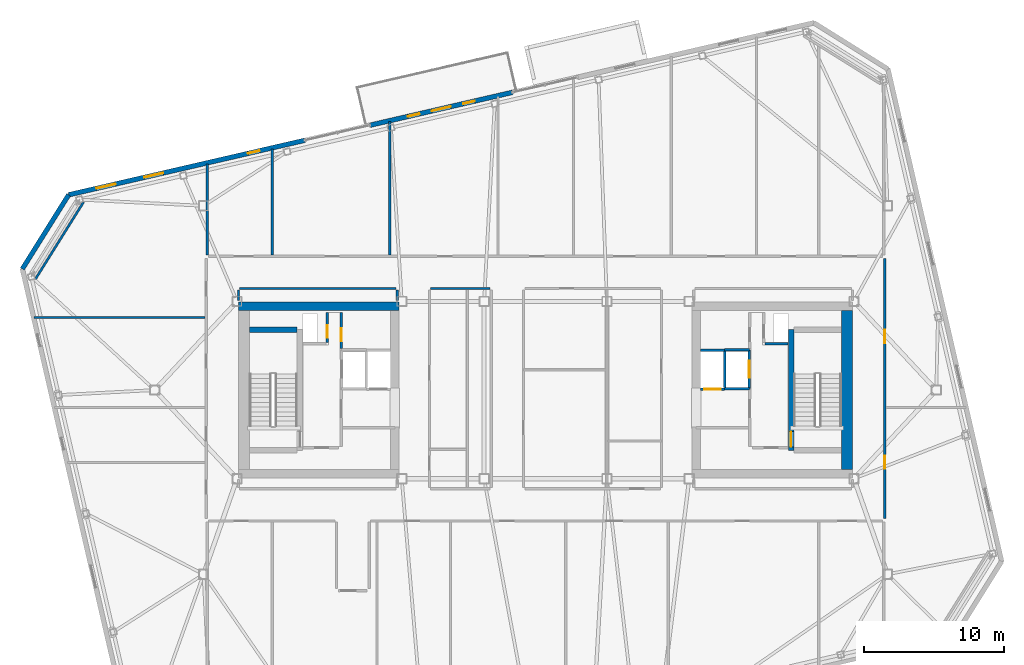
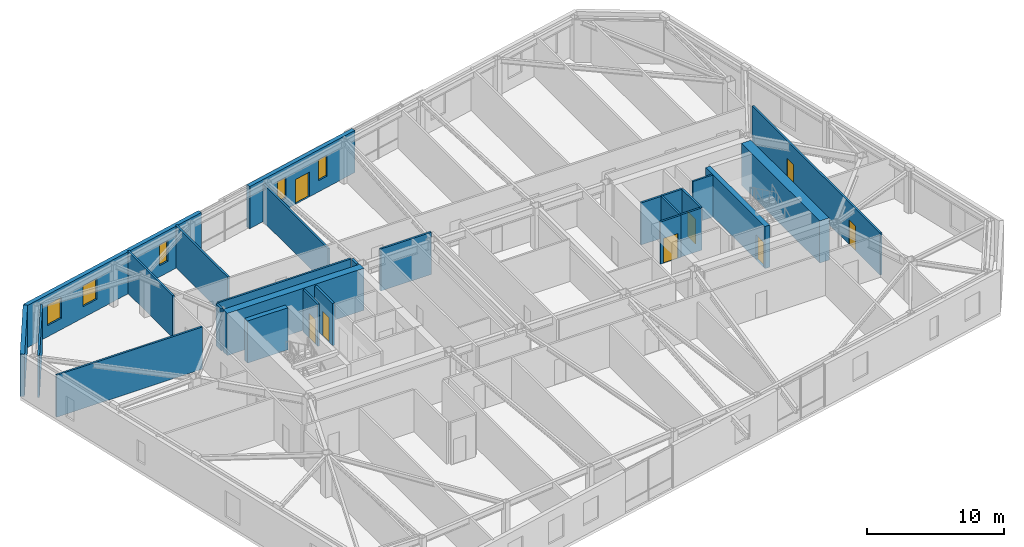
# One storey, part 18 of 24: 26 walls, 8 doors, 5 windows, 13 openings.
"""IFC4 building model written with IfcOpenShell, lengths in metres."""

from ifc_helpers import new_model, si_unit, direction, frame, frame_2d, origin, place, context, subcontext, project, spatial, rectangle, extrude, material, layer, layer_set, type_object, element, fill, save


model = new_model("IFC4")

# Units and contexts
model_context = context("Model", 3, precision=1e-05, world=origin(), true_north=direction((0.0, 1.0)))
body_context = subcontext(model_context, "Body", "Model", "MODEL_VIEW")
ifc_project = project(units=[si_unit("LENGTHUNIT", "METRE"), si_unit("AREAUNIT", "SQUARE_METRE"), si_unit("VOLUMEUNIT", "CUBIC_METRE"), si_unit("PLANEANGLEUNIT", "RADIAN"), si_unit("MASSUNIT", "GRAM", prefix="KILO")], contexts=[model_context])

# Site, building, storey
site_placement = place(None, origin())
site = spatial("IfcSite", under=ifc_project, at=site_placement, CompositionType="ELEMENT")
building_placement = place(site_placement, origin())
building = spatial("IfcBuilding", under=site, at=building_placement, Name="Tavrogorsk Clinical Tower", CompositionType="ELEMENT")
storey_placement = place(building_placement, frame((0.0, 0.0, 321.0)))
storey = spatial("IfcBuildingStorey", under=building, at=storey_placement, Name="L75", CompositionType="ELEMENT", Elevation=321.0)

# Wall, opening, door
ifc_material_1 = material(Name="Concrete B60", Category="concrete")
ifc_layer_1 = layer(ifc_material_1, 0.199951171875)
ifc_layer_set_1 = layer_set([ifc_layer_1], Name="Concrete B60")
wall_type_1 = type_object("IfcWallType", Name="CoreFireWall_200", PredefinedType="SOLIDWALL", material=ifc_layer_set_1)
wall_1_placement = place(storey_placement, frame((-14.639892578125, 2.9599609375, 0.0), z_axis=(0.0, 0.0, 1.0), x_axis=(0.0, 1.0, 0.0)))
wall_1 = element("IfcWall", 1, at=wall_1_placement, inside=storey, type_object=wall_type_1, Name="L75 Core West North Core Room East Wall", PredefinedType="SOLIDWALL", context=body_context, shape_type="SweptSolid", body=[
    extrude(rectangle(XDim=2.60009765625, YDim=0.199951171875, at=frame_2d((1.300048828125, 0.0))), origin(), (0.0, 0.0, 1.0), 3.739990234375),
])
opening_1_placement = place(wall_1_placement, frame((0.52001953125, 0.0, 0.0)))
opening_1 = element("IfcOpeningElement", 2, at=opening_1_placement, cuts=wall_1, Name="Opening ID-02", PredefinedType="OPENING", context=body_context, shape_type="SweptSolid", body=[
    extrude(rectangle(XDim=0.949951171875, YDim=2.199951171875, at=frame_2d((0.47509765625, 1.10009765625))), frame((0.0, 0.10986328125, 0.0), z_axis=(0.0, -1.0, 0.0), x_axis=(1.0, 0.0, 0.0)), (0.0, 0.0, 1.0), 0.219970703125),
])
ifc_material_2 = material(Name="Laminated timber leaf on aluminium frame", Category="wood")
door_type_1 = type_object("IfcDoorType", Name="InteriorDoor_ID02_950", OperationType="NOTDEFINED", PredefinedType="DOOR", material=ifc_material_2)
door_1_placement = place(opening_1_placement, origin())
door_1 = element("IfcDoor", 3, at=door_1_placement, inside=storey, type_object=door_type_1, Name="L75 Core West Core Telemetry Room Door", OperationType="SINGLE_SWING_LEFT", OverallHeight=2.199951171875, OverallWidth=0.949951171875, PredefinedType="DOOR", context=body_context, shape_type="SweptSolid", body=[
    extrude(rectangle(XDim=0.949951171875, YDim=2.199951171875, at=frame_2d((0.47509765625, 1.10009765625))), frame((0.0, 0.02490234375, 0.0), z_axis=(0.0, -1.0, 0.0), x_axis=(1.0, 0.0, 0.0)), (0.0, 0.0, 1.0), 0.050048828125),
])
fill(opening_1, door_1)

# Wall
ifc_material_3 = material(Name="Lightweight concrete blockwork B15", Category="masonry")
ifc_layer_2 = layer(ifc_material_3, 0.159912109375)
ifc_layer_set_2 = layer_set([ifc_layer_2], Name="Lightweight concrete blockwork B15")
wall_type_2 = type_object("IfcWallType", Name="PartitionWall_160", PredefinedType="PARTITIONING", material=ifc_layer_set_2)
wall_2_placement = place(storey_placement, frame((-33.10009765625, 13.464599609375, 0.0), z_axis=(0.0, 0.0, 1.0), x_axis=(-0.529958457806, -0.848023604035, 0.0)))
element("IfcWall", 4, at=wall_2_placement, inside=storey, type_object=wall_type_2, Name="L75 Corner Exoskeleton Brace Furring Wall 3", PredefinedType="PARTITIONING", context=body_context, shape_type="SweptSolid", body=[
    extrude(rectangle(XDim=6.505126953125, YDim=0.159912109375, at=frame_2d((3.25244140625, 0.0))), origin(), (0.0, 0.0, 1.0), 3.739990234375),
])

# Wall, openings, doors
wall_3_placement = place(storey_placement, frame((24.31005859375, 9.4150390625, 0.0), z_axis=(0.0, 0.0, 1.0), x_axis=(0.0, -1.0, 0.0)))
wall_3 = element("IfcWall", 5, at=wall_3_placement, inside=storey, type_object=wall_type_2, Name="L75 Corridor Partition 03", PredefinedType="PARTITIONING", context=body_context, shape_type="SweptSolid", body=[
    extrude(rectangle(XDim=18.630126953125, YDim=0.159912109375, at=frame_2d((9.31494140625, 0.0))), origin(), (0.0, 0.0, 1.0), 3.739990234375),
])
opening_2_placement = place(wall_3_placement, frame((14.10595703125, 0.0, 0.0)))
opening_2 = element("IfcOpeningElement", 6, at=opening_2_placement, cuts=wall_3, Name="Opening ID-02", PredefinedType="OPENING", context=body_context, shape_type="SweptSolid", body=[
    extrude(rectangle(XDim=0.949951171875, YDim=2.199951171875, at=frame_2d((0.47509765625, 1.10009765625))), frame((0.0, 0.08984375, 0.0), z_axis=(0.0, -1.0, 0.0), x_axis=(1.0, 0.0, 0.0)), (0.0, 0.0, 1.0), 0.179931640625),
])
opening_3_placement = place(wall_3_placement, frame((5.093994140625, 0.0, 0.0)))
opening_3 = element("IfcOpeningElement", 7, at=opening_3_placement, cuts=wall_3, Name="Opening ID-02", PredefinedType="OPENING", context=body_context, shape_type="SweptSolid", body=[
    extrude(rectangle(XDim=0.949951171875, YDim=2.199951171875, at=frame_2d((0.47509765625, 1.10009765625))), frame((0.0, 0.08984375, 0.0), z_axis=(0.0, -1.0, 0.0), x_axis=(1.0, 0.0, 0.0)), (0.0, 0.0, 1.0), 0.179931640625),
])
door_2_placement = place(opening_2_placement, origin())
door_2 = element("IfcDoor", 8, at=door_2_placement, inside=storey, type_object=door_type_1, Name="L75 E Senior Clinician Suite 1 Door", OperationType="SINGLE_SWING_RIGHT", OverallHeight=2.199951171875, OverallWidth=0.949951171875, PredefinedType="DOOR", context=body_context, shape_type="SweptSolid", body=[
    extrude(rectangle(XDim=0.949951171875, YDim=2.199951171875, at=frame_2d((0.47509765625, 1.10009765625))), frame((0.0, 0.02490234375, 0.0), z_axis=(0.0, -1.0, 0.0), x_axis=(1.0, 0.0, 0.0)), (0.0, 0.0, 1.0), 0.050048828125),
])
fill(opening_2, door_2)
door_3_placement = place(opening_3_placement, origin())
door_3 = element("IfcDoor", 9, at=door_3_placement, inside=storey, type_object=door_type_1, Name="L75 E Multidisciplinary Seminar Suite 2 Door", OperationType="SINGLE_SWING_LEFT", OverallHeight=2.199951171875, OverallWidth=0.949951171875, PredefinedType="DOOR", context=body_context, shape_type="SweptSolid", body=[
    extrude(rectangle(XDim=0.949951171875, YDim=2.199951171875, at=frame_2d((0.47509765625, 1.10009765625))), frame((0.0, 0.02490234375, 0.0), z_axis=(0.0, -1.0, 0.0), x_axis=(1.0, 0.0, 0.0)), (0.0, 0.0, 1.0), 0.050048828125),
])
fill(opening_3, door_3)

# Walls
wall_4_placement = place(storey_placement, frame((-3.965087890625, 7.27001953125, 0.0), z_axis=(0.0, 0.0, 1.0), x_axis=(-1.0, 0.0, 0.0)))
element("IfcWall", 10, at=wall_4_placement, inside=storey, type_object=wall_type_2, Name="L75 Corridor Partition 20", PredefinedType="PARTITIONING", context=body_context, shape_type="SweptSolid", body=[
    extrude(rectangle(XDim=4.27001953125, YDim=0.159912109375, at=frame_2d((2.135009765625, 0.0))), origin(), (0.0, 0.0, 1.0), 3.739990234375),
])
wall_5_placement = place(storey_placement, frame((-10.6298828125, 6.419921875, 0.0), z_axis=(0.0, 0.0, 1.0), x_axis=(0.0, 1.0, 0.0)))
element("IfcWall", 11, at=wall_5_placement, inside=storey, type_object=wall_type_2, Name="L75 Corridor Partition 24", PredefinedType="PARTITIONING", context=body_context, shape_type="SweptSolid", body=[
    extrude(rectangle(XDim=0.76513671875, YDim=0.159912109375, at=frame_2d((0.382568359375, 0.0))), origin(), (0.0, 0.0, 1.0), 3.739990234375),
])
wall_6_placement = place(storey_placement, frame((-10.715087890625, 7.27001953125, 0.0), z_axis=(0.0, 0.0, 1.0), x_axis=(-1.0, 0.0, 0.0)))
element("IfcWall", 12, at=wall_6_placement, inside=storey, type_object=wall_type_2, Name="L75 Corridor Partition 25", PredefinedType="PARTITIONING", context=body_context, shape_type="SweptSolid", body=[
    extrude(rectangle(XDim=11.199951171875, YDim=0.159912109375, at=frame_2d((5.60009765625, 0.0))), origin(), (0.0, 0.0, 1.0), 3.739990234375),
])
wall_7_placement = place(storey_placement, frame((-22.0, 7.18505859375, 0.0), z_axis=(0.0, 0.0, 1.0), x_axis=(0.0, -1.0, 0.0)))
element("IfcWall", 13, at=wall_7_placement, inside=storey, type_object=wall_type_2, Name="L75 Corridor Partition 26", PredefinedType="PARTITIONING", context=body_context, shape_type="SweptSolid", body=[
    extrude(rectangle(XDim=0.76513671875, YDim=0.159912109375, at=frame_2d((0.382568359375, 0.0))), origin(), (0.0, 0.0, 1.0), 3.739990234375),
])
wall_8_placement = place(storey_placement, frame((-24.22998046875, 9.6650390625, 0.0), z_axis=(0.0, 0.0, 1.0), x_axis=(0.0, 1.0, 0.0)))
element("IfcWall", 14, at=wall_8_placement, inside=storey, type_object=wall_type_2, Name="L75 NW Wing Closure Partition", PredefinedType="PARTITIONING", context=body_context, shape_type="SweptSolid", body=[
    extrude(rectangle(XDim=6.5458984375, YDim=0.159912109375, at=frame_2d((3.27294921875, 0.0))), origin(), (0.0, 0.0, 1.0), 3.739990234375),
])
wall_9_placement = place(storey_placement, frame((-19.580078125, 9.6650390625, 0.0), z_axis=(0.0, 0.0, 1.0), x_axis=(0.0, 1.0, 0.0)))
element("IfcWall", 15, at=wall_9_placement, inside=storey, type_object=wall_type_2, Name="L75 North Room Partition 1", PredefinedType="PARTITIONING", context=body_context, shape_type="SweptSolid", body=[
    extrude(rectangle(XDim=7.619384765625, YDim=0.159912109375, at=frame_2d((3.8095703125, 0.0))), origin(), (0.0, 0.0, 1.0), 3.739990234375),
])
wall_10_placement = place(storey_placement, frame((-11.159912109375, 9.6650390625, 0.0), z_axis=(0.0, 0.0, 1.0), x_axis=(0.0, 1.0, 0.0)))
element("IfcWall", 16, at=wall_10_placement, inside=storey, type_object=wall_type_2, Name="L75 North Room Partition 2", PredefinedType="PARTITIONING", context=body_context, shape_type="SweptSolid", body=[
    extrude(rectangle(XDim=9.5634765625, YDim=0.159912109375, at=frame_2d((4.78173828125, 0.0))), origin(), (0.0, 0.0, 1.0), 3.3349609375),
])
wall_11_placement = place(storey_placement, frame((-36.662841796875, 5.199951171875, 0.0), z_axis=(0.0, 0.0, 1.0), x_axis=(1.0, 0.0, 0.0)))
element("IfcWall", 17, at=wall_11_placement, inside=storey, type_object=wall_type_2, Name="L75 W Wing Divider 3", PredefinedType="PARTITIONING", context=body_context, shape_type="SweptSolid", body=[
    extrude(rectangle(XDim=12.267822265625, YDim=0.159912109375, at=frame_2d((6.1337890625, 0.0))), origin(), (0.0, 0.0, 1.0), 3.739990234375),
])

# Wall, openings, windows, door
ifc_material_4 = material(Name="Precast concrete B45 with limestone cladding", Category="masonry")
ifc_layer_3 = layer(ifc_material_4, 0.340087890625)
ifc_layer_set_3 = layer_set([ifc_layer_3], Name="Precast concrete B45 with limestone cladding")
wall_type_3 = type_object("IfcWallType", Name="PrecastLimestoneWall_340", PredefinedType="STANDARD", material=ifc_layer_set_3)
wall_12_placement = place(storey_placement, frame((-2.3681640625, 21.330078125, 0.0), z_axis=(0.0, 0.0, 1.0), x_axis=(-0.974367213107, -0.224963405961, 0.0)))
wall_12 = element("IfcWall", 18, at=wall_12_placement, inside=storey, type_object=wall_type_3, Name="L75 N Limestone Facade Wall 2", PredefinedType="STANDARD", context=body_context, shape_type="SweptSolid", body=[
    extrude(rectangle(XDim=10.46826171875, YDim=0.340087890625, at=frame_2d((5.234130859375, 0.0))), origin(), (0.0, 0.0, 1.0), 3.739990234375),
])
opening_4_placement = place(wall_12_placement, frame((4.5341796875, 0.0, 0.0)))
opening_4 = element("IfcOpeningElement", 19, at=opening_4_placement, cuts=wall_12, Name="Opening ED-03", PredefinedType="OPENING", context=body_context, shape_type="SweptSolid", body=[
    extrude(rectangle(XDim=1.39990234375, YDim=2.199951171875, at=frame_2d((0.699951171875, 1.10009765625))), frame((0.0, 0.179931640625, 0.0), z_axis=(0.0, -1.0, 0.0), x_axis=(1.0, 0.0, 0.0)), (0.0, 0.0, 1.0), 0.360107421875),
])
opening_5_placement = place(wall_12_placement, frame((6.840087890625, 0.0, 1.0)))
opening_5 = element("IfcOpeningElement", 20, at=opening_5_placement, cuts=wall_12, Name="Opening WN-06", PredefinedType="OPENING", context=body_context, shape_type="SweptSolid", body=[
    extrude(rectangle(XDim=0.85009765625, YDim=1.85009765625, at=frame_2d((0.425048828125, 0.925048828125))), frame((0.0, 0.179931640625, 0.0), z_axis=(0.0, -1.0, 0.0), x_axis=(1.0, 0.0, 0.0)), (0.0, 0.0, 1.0), 0.360107421875),
])
opening_6_placement = place(wall_12_placement, frame((2.7783203125, 0.0, 1.0)))
opening_6 = element("IfcOpeningElement", 21, at=opening_6_placement, cuts=wall_12, Name="Opening WN-06", PredefinedType="OPENING", context=body_context, shape_type="SweptSolid", body=[
    extrude(rectangle(XDim=0.85009765625, YDim=1.85009765625, at=frame_2d((0.425048828125, 0.925048828125))), frame((0.0, 0.179931640625, 0.0), z_axis=(0.0, -1.0, 0.0), x_axis=(1.0, 0.0, 0.0)), (0.0, 0.0, 1.0), 0.360107421875),
])
ifc_material_5 = material(Name="Thermally broken aluminium frame and triple IGU", Category="aluminium")
window_type_1 = type_object("IfcWindowType", Name="MullionSubWin_850x1850", PartitioningType="SINGLE_PANEL", PredefinedType="WINDOW", material=ifc_material_5)
window_1_placement = place(opening_5_placement, origin())
window_1 = element("IfcWindow", 22, at=window_1_placement, inside=storey, type_object=window_type_1, Name="L75 N Mullion Split Window 05B", OverallHeight=1.85009765625, OverallWidth=0.85009765625, PartitioningType="SINGLE_PANEL", PredefinedType="WINDOW", context=body_context, shape_type="SweptSolid", body=[
    extrude(rectangle(XDim=0.85009765625, YDim=1.85009765625, at=frame_2d((0.425048828125, 0.925048828125))), frame((0.0, 0.030029296875, 0.0), z_axis=(0.0, -1.0, 0.0), x_axis=(1.0, 0.0, 0.0)), (0.0, 0.0, 1.0), 0.06005859375),
])
fill(opening_5, window_1)
window_2_placement = place(opening_6_placement, origin())
window_2 = element("IfcWindow", 23, at=window_2_placement, inside=storey, type_object=window_type_1, Name="L75 N Mullion Split Window 06A", OverallHeight=1.85009765625, OverallWidth=0.85009765625, PartitioningType="SINGLE_PANEL", PredefinedType="WINDOW", context=body_context, shape_type="SweptSolid", body=[
    extrude(rectangle(XDim=0.85009765625, YDim=1.85009765625, at=frame_2d((0.425048828125, 0.925048828125))), frame((0.0, 0.030029296875, 0.0), z_axis=(0.0, -1.0, 0.0), x_axis=(1.0, 0.0, 0.0)), (0.0, 0.0, 1.0), 0.06005859375),
])
fill(opening_6, window_2)
ifc_material_6 = material(Name="Thermally broken aluminium and laminated safety glass", Category="aluminium")
door_type_2 = type_object("IfcDoorType", Name="TerraceGlassDoor_ED03_1400", OperationType="DOUBLE_SWING_LEFT", PredefinedType="DOOR", material=ifc_material_6)
door_4_placement = place(opening_4_placement, origin())
door_4 = element("IfcDoor", 24, at=door_4_placement, inside=storey, type_object=door_type_2, Name="L75 Spiralling Recuperation Terrace Door ED-03", OperationType="DOUBLE_SWING_LEFT", OverallHeight=2.199951171875, OverallWidth=1.39990234375, PredefinedType="DOOR", context=body_context, shape_type="SweptSolid", body=[
    extrude(rectangle(XDim=1.39990234375, YDim=2.199951171875, at=frame_2d((0.699951171875, 1.10009765625))), frame((0.0, 0.02490234375, 0.0), z_axis=(0.0, -1.0, 0.0), x_axis=(1.0, 0.0, 0.0)), (0.0, 0.0, 1.0), 0.050048828125),
])
fill(opening_4, door_4)

# Wall, openings, windows
wall_13_placement = place(storey_placement, frame((-17.2451171875, 17.895263671875, 0.0), z_axis=(0.0, 0.0, 1.0), x_axis=(-0.97437318493, -0.224937539085, 0.0)))
wall_13 = element("IfcWall", 25, at=wall_13_placement, inside=storey, type_object=wall_type_3, Name="L75 N Limestone Facade Wall 3", PredefinedType="STANDARD", context=body_context, shape_type="SweptSolid", body=[
    extrude(rectangle(XDim=17.365966796875, YDim=0.340087890625, at=frame_2d((8.68310546875, 0.0))), origin(), (0.0, 0.0, 1.0), 3.739990234375),
])
opening_7_placement = place(wall_13_placement, frame((13.924560546875, 0.0, 1.0)))
opening_7 = element("IfcOpeningElement", 26, at=opening_7_placement, cuts=wall_13, Name="Opening WN-17", PredefinedType="OPENING", context=body_context, shape_type="SweptSolid", body=[
    extrude(rectangle(XDim=1.39990234375, YDim=1.85009765625, at=frame_2d((0.699951171875, 0.925048828125))), frame((0.0, 0.179931640625, 0.0), z_axis=(0.0, -1.0, 0.0), x_axis=(1.0, 0.0, 0.0)), (0.0, 0.0, 1.0), 0.360107421875),
])
opening_8_placement = place(wall_13_placement, frame((10.412841796875, 0.0, 1.0)))
opening_8 = element("IfcOpeningElement", 27, at=opening_8_placement, cuts=wall_13, Name="Opening WN-17", PredefinedType="OPENING", context=body_context, shape_type="SweptSolid", body=[
    extrude(rectangle(XDim=1.39990234375, YDim=1.85009765625, at=frame_2d((0.699951171875, 0.925048828125))), frame((0.0, 0.179931640625, 0.0), z_axis=(0.0, -1.0, 0.0), x_axis=(1.0, 0.0, 0.0)), (0.0, 0.0, 1.0), 0.360107421875),
])
opening_9_placement = place(wall_13_placement, frame((3.32861328125, 0.0, 1.0)))
opening_9 = element("IfcOpeningElement", 28, at=opening_9_placement, cuts=wall_13, Name="Opening WN-06", PredefinedType="OPENING", context=body_context, shape_type="SweptSolid", body=[
    extrude(rectangle(XDim=0.85009765625, YDim=1.85009765625, at=frame_2d((0.425048828125, 0.925048828125))), frame((0.0, 0.179931640625, 0.0), z_axis=(0.0, -1.0, 0.0), x_axis=(1.0, 0.0, 0.0)), (0.0, 0.0, 1.0), 0.360107421875),
])
window_3_placement = place(opening_9_placement, origin())
window_3 = element("IfcWindow", 29, at=window_3_placement, inside=storey, type_object=window_type_1, Name="L75 N Mullion Split Window 04B", OverallHeight=1.85009765625, OverallWidth=0.85009765625, PartitioningType="SINGLE_PANEL", PredefinedType="WINDOW", context=body_context, shape_type="SweptSolid", body=[
    extrude(rectangle(XDim=0.85009765625, YDim=1.85009765625, at=frame_2d((0.425048828125, 0.925048828125))), frame((0.0, 0.030029296875, 0.0), z_axis=(0.0, -1.0, 0.0), x_axis=(1.0, 0.0, 0.0)), (0.0, 0.0, 1.0), 0.06005859375),
])
fill(opening_9, window_3)
ifc_material_7 = material(Name="Thermally broken aluminium frame and triple IGU", Category="aluminium")
window_type_2 = type_object("IfcWindowType", Name="TelemetryWin_1400x1850", PartitioningType="SINGLE_PANEL", PredefinedType="WINDOW", material=ifc_material_7)
window_4_placement = place(opening_7_placement, origin())
window_4 = element("IfcWindow", 30, at=window_4_placement, inside=storey, type_object=window_type_2, Name="L75 N Chicago Window 01", OverallHeight=1.85009765625, OverallWidth=1.39990234375, PartitioningType="SINGLE_PANEL", PredefinedType="WINDOW", context=body_context, shape_type="SweptSolid", body=[
    extrude(rectangle(XDim=1.39990234375, YDim=1.85009765625, at=frame_2d((0.699951171875, 0.925048828125))), frame((0.0, 0.030029296875, 0.0), z_axis=(0.0, -1.0, 0.0), x_axis=(1.0, 0.0, 0.0)), (0.0, 0.0, 1.0), 0.06005859375),
])
fill(opening_7, window_4)
window_5_placement = place(opening_8_placement, origin())
window_5 = element("IfcWindow", 31, at=window_5_placement, inside=storey, type_object=window_type_2, Name="L75 N Chicago Window 02", OverallHeight=1.85009765625, OverallWidth=1.39990234375, PartitioningType="SINGLE_PANEL", PredefinedType="WINDOW", context=body_context, shape_type="SweptSolid", body=[
    extrude(rectangle(XDim=1.39990234375, YDim=1.85009765625, at=frame_2d((0.699951171875, 0.925048828125))), frame((0.0, 0.030029296875, 0.0), z_axis=(0.0, -1.0, 0.0), x_axis=(1.0, 0.0, 0.0)), (0.0, 0.0, 1.0), 0.06005859375),
])
fill(opening_8, window_5)

# Wall
wall_14_placement = place(storey_placement, frame((-34.165771484375, 13.989013671875, 0.0), z_axis=(0.0, 0.0, 1.0), x_axis=(-0.529935887993, -0.848037708252, 0.0)))
element("IfcWall", 32, at=wall_14_placement, inside=storey, type_object=wall_type_3, Name="L75 Chamfered Corner Wall 3", PredefinedType="STANDARD", context=body_context, shape_type="SweptSolid", body=[
    extrude(rectangle(XDim=6.26513671875, YDim=0.340087890625, at=frame_2d((3.132568359375, 0.0))), origin(), (0.0, 0.0, 1.0), 3.739990234375),
])

# Wall, opening, door
ifc_material_8 = material(Name="Lightweight concrete blockwork B25", Category="masonry")
ifc_layer_4 = layer(ifc_material_8, 0.159912109375)
ifc_layer_set_4 = layer_set([ifc_layer_4], Name="Lightweight concrete blockwork B25")
wall_type_4 = type_object("IfcWallType", Name="ShaftWall_160", PredefinedType="PARTITIONING", material=ifc_layer_set_4)
wall_15_placement = place(storey_placement, frame((14.60009765625, 0.1201171875, 0.0), z_axis=(0.0, 0.0, 1.0), x_axis=(0.0, 1.0, 0.0)))
wall_15 = element("IfcWall", 33, at=wall_15_placement, inside=storey, type_object=wall_type_4, Name="L75 FFL-E Firefighting Lift Front Wall", PredefinedType="PARTITIONING", context=body_context, shape_type="SweptSolid", body=[
    extrude(rectangle(XDim=2.739990234375, YDim=0.159912109375, at=frame_2d((1.3701171875, 0.0))), origin(), (0.0, 0.0, 1.0), 3.739990234375),
])
opening_10_placement = place(wall_15_placement, frame((0.77001953125, 0.0, 0.0)))
opening_10 = element("IfcOpeningElement", 34, at=opening_10_placement, cuts=wall_15, Name="Opening LD", PredefinedType="OPENING", context=body_context, shape_type="SweptSolid", body=[
    extrude(rectangle(XDim=1.199951171875, YDim=2.199951171875, at=frame_2d((0.60009765625, 1.10009765625))), frame((0.0, 0.08984375, 0.0), z_axis=(0.0, -1.0, 0.0), x_axis=(1.0, 0.0, 0.0)), (0.0, 0.0, 1.0), 0.179931640625),
])
ifc_material_9 = material(Name="Brushed stainless steel AISI 304 sliding doors", Category="steel")
door_type_3 = type_object("IfcDoorType", Name="LiftLandingDoor_LD_1200", OperationType="SLIDING_TO_LEFT", PredefinedType="DOOR", material=ifc_material_9)
door_5_placement = place(opening_10_placement, origin())
door_5 = element("IfcDoor", 35, at=door_5_placement, inside=storey, type_object=door_type_3, Name="L75 FFL-E Sliding Lift Landing Door", OperationType="SLIDING_TO_LEFT", OverallHeight=2.199951171875, OverallWidth=1.199951171875, PredefinedType="DOOR", context=body_context, shape_type="SweptSolid", body=[
    extrude(rectangle(XDim=1.199951171875, YDim=2.199951171875, at=frame_2d((0.60009765625, 1.10009765625))), frame((0.0, 0.02490234375, 0.0), z_axis=(0.0, -1.0, 0.0), x_axis=(1.0, 0.0, 0.0)), (0.0, 0.0, 1.0), 0.050048828125),
])
fill(opening_10, door_5)

# Walls
for number, where, z_axis, x_axis, name in (
    (36, (12.840087890625, 0.10009765625, 0.0), (0.0, 0.0, 1.0), (1.0, 0.0, 0.0), "L75 FFL-E Shaft South Wall"),
    (37, (12.840087890625, 2.8798828125, 0.0), (0.0, 0.0, 1.0), (1.0, 0.0, 0.0), "L75 FFL-E Shaft North Wall"),
):
    element("IfcWall", number, at=place(storey_placement, frame(where, z_axis=z_axis, x_axis=x_axis)), inside=storey, type_object=wall_type_4, Name=name, PredefinedType="PARTITIONING", context=body_context, shape_type="SweptSolid", body=[
        extrude(rectangle(XDim=1.760009765625, YDim=0.159912109375, at=frame_2d((0.8798828125, 0.0))), origin(), (0.0, 0.0, 1.0), 3.739990234375),
    ])
wall_16_placement = place(storey_placement, frame((12.840087890625, 0.179931640625, 0.0), z_axis=(0.0, 0.0, 1.0), x_axis=(0.0, 1.0, 0.0)))
element("IfcWall", 38, at=wall_16_placement, inside=storey, type_object=wall_type_4, Name="L75 FFL-E Shaft Back Wall", PredefinedType="PARTITIONING", context=body_context, shape_type="SweptSolid", body=[
    extrude(rectangle(XDim=2.6201171875, YDim=0.159912109375, at=frame_2d((1.31005859375, 0.0))), origin(), (0.0, 0.0, 1.0), 3.739990234375),
])

# Wall, opening, door
wall_17_placement = place(storey_placement, frame((11.10009765625, 0.06005859375, 0.0), z_axis=(0.0, 0.0, 1.0), x_axis=(1.0, 0.0, 0.0)))
wall_17 = element("IfcWall", 39, at=wall_17_placement, inside=storey, type_object=wall_type_4, Name="L75 LP-H2 High-Zone Lift Portal Wall", PredefinedType="PARTITIONING", context=body_context, shape_type="SweptSolid", body=[
    extrude(rectangle(XDim=1.719970703125, YDim=0.159912109375, at=frame_2d((0.85986328125, 0.0))), origin(), (0.0, 0.0, 1.0), 3.739990234375),
])
opening_11_placement = place(wall_17_placement, frame((0.260009765625, 0.0, 0.0)))
opening_11 = element("IfcOpeningElement", 40, at=opening_11_placement, cuts=wall_17, Name="Opening LD", PredefinedType="OPENING", context=body_context, shape_type="SweptSolid", body=[
    extrude(rectangle(XDim=1.199951171875, YDim=2.199951171875, at=frame_2d((0.60009765625, 1.10009765625))), frame((0.0, 0.08984375, 0.0), z_axis=(0.0, -1.0, 0.0), x_axis=(1.0, 0.0, 0.0)), (0.0, 0.0, 1.0), 0.179931640625),
])
door_6_placement = place(opening_11_placement, origin())
door_6 = element("IfcDoor", 41, at=door_6_placement, inside=storey, type_object=door_type_3, Name="L75 LP-H2 Sliding Lift Landing Door", OperationType="SLIDING_TO_LEFT", OverallHeight=2.199951171875, OverallWidth=1.199951171875, PredefinedType="DOOR", context=body_context, shape_type="SweptSolid", body=[
    extrude(rectangle(XDim=1.199951171875, YDim=2.199951171875, at=frame_2d((0.60009765625, 1.10009765625))), frame((0.0, 0.02490234375, 0.0), z_axis=(0.0, -1.0, 0.0), x_axis=(1.0, 0.0, 0.0)), (0.0, 0.0, 1.0), 0.050048828125),
])
fill(opening_11, door_6)

# Wall
wall_18_placement = place(storey_placement, frame((11.10009765625, 2.860107421875, 0.0), z_axis=(0.0, 0.0, 1.0), x_axis=(1.0, 0.0, 0.0)))
element("IfcWall", 42, at=wall_18_placement, inside=storey, type_object=wall_type_4, Name="L75 LP-H2 High-Zone Lift Rear Wall", PredefinedType="PARTITIONING", context=body_context, shape_type="SweptSolid", body=[
    extrude(rectangle(XDim=1.719970703125, YDim=0.159912109375, at=frame_2d((0.85986328125, 0.0))), origin(), (0.0, 0.0, 1.0), 3.739990234375),
])

# Wall, opening, door
wall_19_placement = place(storey_placement, frame((-15.639892578125, 3.405029296875, 0.0), z_axis=(0.0, 0.0, 1.0), x_axis=(0.0, 1.0, 0.0)))
wall_19 = element("IfcWall", 43, at=wall_19_placement, inside=storey, type_object=wall_type_4, Name="L75 Core West Riser West Wall", PredefinedType="PARTITIONING", context=body_context, shape_type="SweptSolid", body=[
    extrude(rectangle(XDim=2.155029296875, YDim=0.159912109375, at=frame_2d((1.07763671875, 0.0))), origin(), (0.0, 0.0, 1.0), 3.739990234375),
])
opening_12_placement = place(wall_19_placement, frame((0.35009765625, 0.0, 0.0)))
opening_12 = element("IfcOpeningElement", 44, at=opening_12_placement, cuts=wall_19, Name="Opening FD-02", PredefinedType="OPENING", context=body_context, shape_type="SweptSolid", body=[
    extrude(rectangle(XDim=0.89990234375, YDim=2.199951171875, at=frame_2d((0.449951171875, 1.10009765625))), frame((0.0, 0.08984375, 0.0), z_axis=(0.0, -1.0, 0.0), x_axis=(1.0, 0.0, 0.0)), (0.0, 0.0, 1.0), 0.179931640625),
])
ifc_material_10 = material(Name="Galvanised steel fire-rated door assembly", Category="steel")
door_type_4 = type_object("IfcDoorType", Name="FireDoor_FD02_900", OperationType="NOTDEFINED", PredefinedType="DOOR", material=ifc_material_10)
door_7_placement = place(opening_12_placement, origin())
door_7 = element("IfcDoor", 45, at=door_7_placement, inside=storey, type_object=door_type_4, Name="L75 Core West Electrical Riser Access Door", OperationType="SINGLE_SWING_LEFT", OverallHeight=2.199951171875, OverallWidth=0.89990234375, PredefinedType="DOOR", context=body_context, shape_type="SweptSolid", body=[
    extrude(rectangle(XDim=0.89990234375, YDim=2.199951171875, at=frame_2d((0.449951171875, 1.10009765625))), frame((0.0, 0.02490234375, 0.0), z_axis=(0.0, -1.0, 0.0), x_axis=(1.0, 0.0, 0.0)), (0.0, 0.0, 1.0), 0.050048828125),
])
fill(opening_12, door_7)

# Walls
wall_20_placement = place(storey_placement, frame((15.72509765625, 3.320068359375, 0.0), z_axis=(0.0, 0.0, 1.0), x_axis=(1.0, 0.0, 0.0)))
element("IfcWall", 46, at=wall_20_placement, inside=storey, type_object=wall_type_4, Name="L75 Core East Riser South Wall", PredefinedType="PARTITIONING", context=body_context, shape_type="SweptSolid", body=[
    extrude(rectangle(XDim=1.65478515625, YDim=0.159912109375, at=frame_2d((0.827392578125, 0.0))), origin(), (0.0, 0.0, 1.0), 3.739990234375),
])
ifc_material_11 = material(Name="Concrete B80", Category="concrete")
ifc_layer_5 = layer(ifc_material_11, 0.39990234375)
ifc_layer_set_5 = layer_set([ifc_layer_5], Name="Concrete B80")
wall_type_5 = type_object("IfcWallType", Name="ShearWall_400", PredefinedType="SHEAR", material=ifc_layer_set_5)
wall_21_placement = place(storey_placement, frame((-21.199951171875, 4.324951171875, 0.0), z_axis=(0.0, 0.0, 1.0), x_axis=(1.0, 0.0, 0.0)))
element("IfcWall", 47, at=wall_21_placement, inside=storey, type_object=wall_type_5, Name="L75 Core West Stair Shaft North Shear Wall", PredefinedType="SHEAR", context=body_context, shape_type="SweptSolid", body=[
    extrude(rectangle(XDim=3.39990234375, YDim=0.39990234375, at=frame_2d((1.699951171875, 0.0))), origin(), (0.0, 0.0, 1.0), 3.739990234375),
])

# Wall, opening, door
wall_22_placement = place(storey_placement, frame((17.60009765625, -4.324951171875, 0.0), z_axis=(0.0, 0.0, 1.0), x_axis=(0.0, 1.0, 0.0)))
wall_22 = element("IfcWall", 48, at=wall_22_placement, inside=storey, type_object=wall_type_5, Name="L75 Core East Stair Shaft Inner Shear Wall", PredefinedType="SHEAR", context=body_context, shape_type="SweptSolid", body=[
    extrude(rectangle(XDim=8.64990234375, YDim=0.39990234375, at=frame_2d((4.324951171875, 0.0))), origin(), (0.0, 0.0, 1.0), 3.739990234375),
])
opening_13_placement = place(wall_22_placement, frame((0.25, 0.0, 0.0)))
opening_13 = element("IfcOpeningElement", 49, at=opening_13_placement, cuts=wall_22, Name="Opening SD-01", PredefinedType="OPENING", context=body_context, shape_type="SweptSolid", body=[
    extrude(rectangle(XDim=1.10009765625, YDim=2.199951171875, at=frame_2d((0.550048828125, 1.10009765625))), frame((0.0, 0.2099609375, 0.0), z_axis=(0.0, -1.0, 0.0), x_axis=(1.0, 0.0, 0.0)), (0.0, 0.0, 1.0), 0.419921875),
])
ifc_material_12 = material(Name="Galvanised steel smoke-tight fire door assembly", Category="steel")
door_type_5 = type_object("IfcDoorType", Name="StairFireDoor_SD01_1100", OperationType="NOTDEFINED", PredefinedType="DOOR", material=ifc_material_12)
door_8_placement = place(opening_13_placement, origin())
door_8 = element("IfcDoor", 50, at=door_8_placement, inside=storey, type_object=door_type_5, Name="L75 ST-E Exit Stair Door", OperationType="SINGLE_SWING_LEFT", OverallHeight=2.199951171875, OverallWidth=1.10009765625, PredefinedType="DOOR", context=body_context, shape_type="SweptSolid", body=[
    extrude(rectangle(XDim=1.10009765625, YDim=2.199951171875, at=frame_2d((0.550048828125, 1.10009765625))), frame((0.0, 0.02490234375, 0.0), z_axis=(0.0, -1.0, 0.0), x_axis=(1.0, 0.0, 0.0)), (0.0, 0.0, 1.0), 0.050048828125),
])
fill(opening_13, door_8)

# Walls
ifc_material_13 = material(Name="Concrete B80", Category="concrete")
ifc_layer_6 = layer(ifc_material_13, 0.60009765625)
ifc_layer_set_6 = layer_set([ifc_layer_6], Name="Concrete B80")
wall_type_6 = type_object("IfcWallType", Name="ShearWall_600", PredefinedType="SHEAR", material=ifc_layer_set_6)
wall_23_placement = place(storey_placement, frame((-22.0, 6.0, 0.0), z_axis=(0.0, 0.0, 1.0), x_axis=(1.0, 0.0, 0.0)))
element("IfcWall", 51, at=wall_23_placement, inside=storey, type_object=wall_type_6, Name="L75 Core West North Shear Wall", PredefinedType="SHEAR", context=body_context, shape_type="SweptSolid", body=[
    extrude(rectangle(XDim=11.5, YDim=0.60009765625, at=frame_2d((5.75, 0.0))), origin(), (0.0, 0.0, 1.0), 3.739990234375),
])
ifc_material_14 = material(Name="Concrete B80", Category="concrete")
ifc_layer_7 = layer(ifc_material_14, 0.800048828125)
ifc_layer_set_7 = layer_set([ifc_layer_7], Name="Concrete B80")
wall_type_7 = type_object("IfcWallType", Name="ShearWall_800", PredefinedType="SHEAR", material=ifc_layer_set_7)
wall_24_placement = place(storey_placement, frame((21.60009765625, -5.699951171875, 0.0), z_axis=(0.0, 0.0, 1.0), x_axis=(0.0, 1.0, 0.0)))
element("IfcWall", 52, at=wall_24_placement, inside=storey, type_object=wall_type_7, Name="L75 Core East End Shear Wall", PredefinedType="SHEAR", context=body_context, shape_type="SweptSolid", body=[
    extrude(rectangle(XDim=11.39990234375, YDim=0.800048828125, at=frame_2d((5.699951171875, 0.0))), origin(), (0.0, 0.0, 1.0), 3.739990234375),
])

save(model, "model.ifc")
